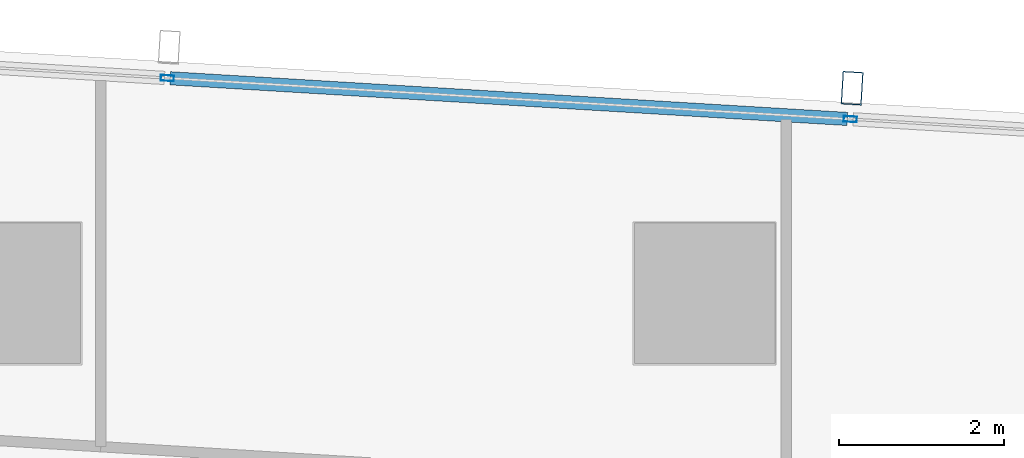
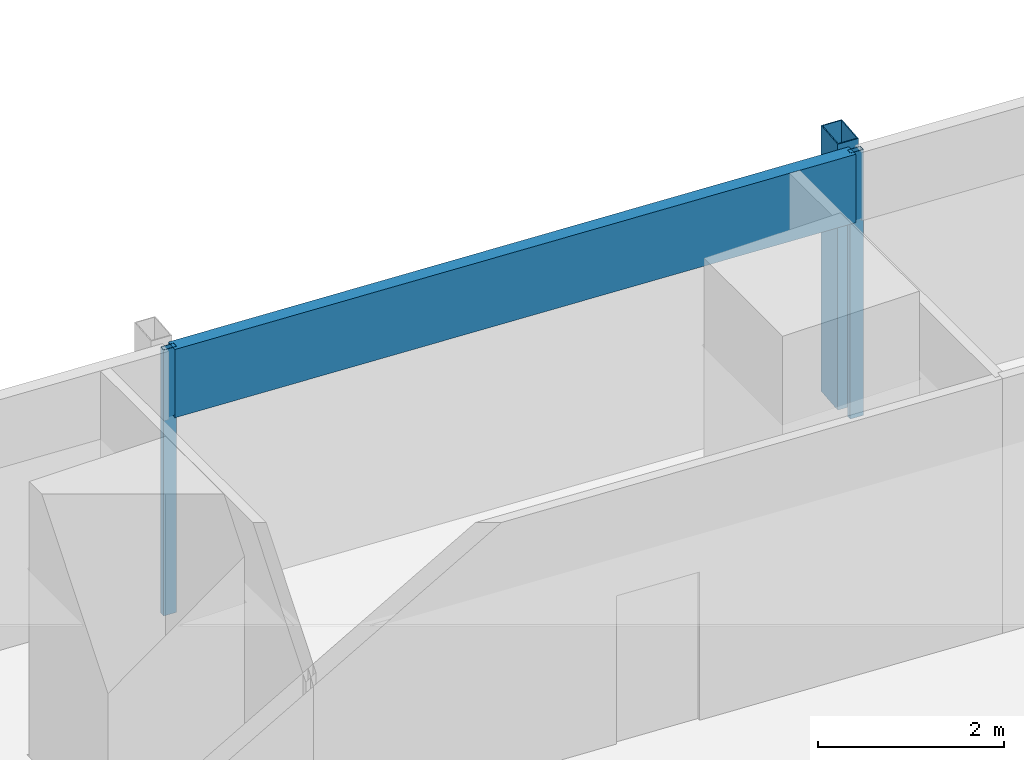
# One storey, part 19 of 40: 4 members, 1 element without a shape of its own.
"""IFC4 building model written with IfcOpenShell, lengths in metres."""

from ifc_helpers import new_model, si_unit, direction, frame, origin, origin_2d, place, context, subcontext, project, spatial, hollow_rectangle, extrude, material, material_profile, profile_set, type_object, element, aggregate, save


model = new_model("IFC4")

# Units and contexts
model_context = context("Model", 3, precision=1e-05, world=origin(), true_north=direction((0.0, 1.0)))
body_context = subcontext(model_context, "Body", "Model", "MODEL_VIEW")
ifc_project = project(units=[si_unit("LENGTHUNIT", "METRE"), si_unit("AREAUNIT", "SQUARE_METRE"), si_unit("VOLUMEUNIT", "CUBIC_METRE"), si_unit("PLANEANGLEUNIT", "RADIAN"), si_unit("MASSUNIT", "GRAM", prefix="KILO")], contexts=[model_context])

# Site, building, storey
site_placement = place(None, origin())
site = spatial("IfcSite", under=ifc_project, at=site_placement, CompositionType="ELEMENT")
building_placement = place(site_placement, origin())
building = spatial("IfcBuilding", under=site, at=building_placement, Name="Rekha Terrace Tower", CompositionType="ELEMENT")
storey_placement = place(building_placement, frame((0.0, 0.0, 106.550048828125)))
storey = spatial("IfcBuildingStorey", under=building, at=storey_placement, Name="L26", CompositionType="ELEMENT", Elevation=106.550048828125)

# Curtain wall, members
ifc_material_1 = material(Name="Aluminium framing", Category="aluminium")
curtain_wall_type = type_object("IfcCurtainWallType", Name="CW3 north unitised glazing", PredefinedType="USERDEFINED", material=ifc_material_1)
curtain_wall_placement = place(storey_placement, origin())
curtain_wall = element("IfcCurtainWall", 1, at=curtain_wall_placement, inside=storey, type_object=curtain_wall_type, Name="CW3 unitised curtain wall", ObjectType="UNITISED CURTAIN WALL", PredefinedType="USERDEFINED")
ifc_material_2 = material(Name="Steel S355 with fluorocarbon finish", Category="steel")
ifc_material_profile_1 = material_profile(ifc_material_2, hollow_rectangle(XDim=0.25, YDim=0.39990234375, WallThickness=0.012451171875, at=origin_2d()), Name="RHS400x250x12.5")
ifc_profile_set_1 = profile_set([ifc_material_profile_1], Name="Steel S355 with fluorocarbon finish")
member_type_1 = type_object("IfcMemberType", Name="BL1 facade blade RHS 400 x 250", PredefinedType="USERDEFINED", material=ifc_profile_set_1)
member_1_placement = place(storey_placement, frame((60.583740234375, 61.281005859375, 0.0), z_axis=(0.0, 0.0, 1.0), x_axis=(-0.998199123409, 0.059987582268, 0.0)))
member_1 = element("IfcMember", 2, at=member_1_placement, type_object=member_type_1, Name="Facade blade", ObjectType="FACADE BLADE", PredefinedType="USERDEFINED", context=body_context, shape_type="SweptSolid", body=[
    extrude(hollow_rectangle(XDim=0.25, YDim=0.39990234375, WallThickness=0.012451171875, at=origin_2d()), origin(), (0.0, 0.0, 1.0), 3.5),
])
ifc_material_3 = material(Name="Aluminium mullion section", Category="aluminium")
ifc_material_profile_2 = material_profile(ifc_material_3, hollow_rectangle(XDim=0.070068359375, YDim=0.159912109375, WallThickness=0.00390625, at=origin_2d()), Name="AL RHS 70x160")
ifc_profile_set_2 = profile_set([ifc_material_profile_2], Name="Aluminium mullion section")
member_type_2 = type_object("IfcMemberType", Name="CW3 mullion RHS 70 x 160", PredefinedType="MULLION", material=ifc_profile_set_2)
member_2_placement = place(storey_placement, frame((60.561279296875, 60.90673828125, 0.0), z_axis=(0.0, 0.0, 1.0), x_axis=(-0.059987926837, -0.998199102701, 0.0)))
member_2 = element("IfcMember", 3, at=member_2_placement, type_object=member_type_2, Name="CW3 mullion 2", PredefinedType="MULLION", context=body_context, shape_type="SweptSolid", body=[
    extrude(hollow_rectangle(XDim=0.070068359375, YDim=0.159912109375, WallThickness=0.00390625, at=origin_2d()), origin(), (0.0, 0.0, 1.0), 3.5),
])
member_3_placement = place(storey_placement, frame((52.299560546875, 61.4033203125, 0.0), z_axis=(0.0, 0.0, 1.0), x_axis=(-0.059987926837, -0.998199102701, 0.0)))
member_3 = element("IfcMember", 4, at=member_3_placement, type_object=member_type_2, Name="CW3 mullion 3", PredefinedType="MULLION", context=body_context, shape_type="SweptSolid", body=[
    extrude(hollow_rectangle(XDim=0.070068359375, YDim=0.159912109375, WallThickness=0.00390625, at=origin_2d()), origin(), (0.0, 0.0, 1.0), 3.5),
])
ifc_material_4 = material(Name="Insulated aluminium spandrel box", Category="aluminium")
ifc_material_profile_3 = material_profile(ifc_material_4, hollow_rectangle(XDim=0.159912109375, YDim=0.89990234375, WallThickness=0.0029296875, at=origin_2d()), Name="AL SPANDREL BOX 160x900")
ifc_profile_set_3 = profile_set([ifc_material_profile_3], Name="Insulated aluminium spandrel box")
member_type_3 = type_object("IfcMemberType", Name="CW3 spandrel transom 160 x 900", PredefinedType="USERDEFINED", material=ifc_profile_set_3)
member_4_placement = place(storey_placement, frame((60.5263671875, 60.908935546875, 3.050048828125), z_axis=(-0.998199826332, 0.059975884418, 0.0), x_axis=(-0.059975884418, -0.998199826332, 0.0)))
member_4 = element("IfcMember", 5, at=member_4_placement, type_object=member_type_3, Name="CW3 spandrel transom 2", ObjectType="TRANSOM", PredefinedType="USERDEFINED", context=body_context, shape_type="SweptSolid", body=[
    extrude(hollow_rectangle(XDim=0.159912109375, YDim=0.89990234375, WallThickness=0.0029296875, at=origin_2d()), origin(), (0.0, 0.0, 1.0), 8.20654296875),
])
aggregate(curtain_wall, [member_2, member_3, member_4, member_1])

save(model, "model.ifc")
